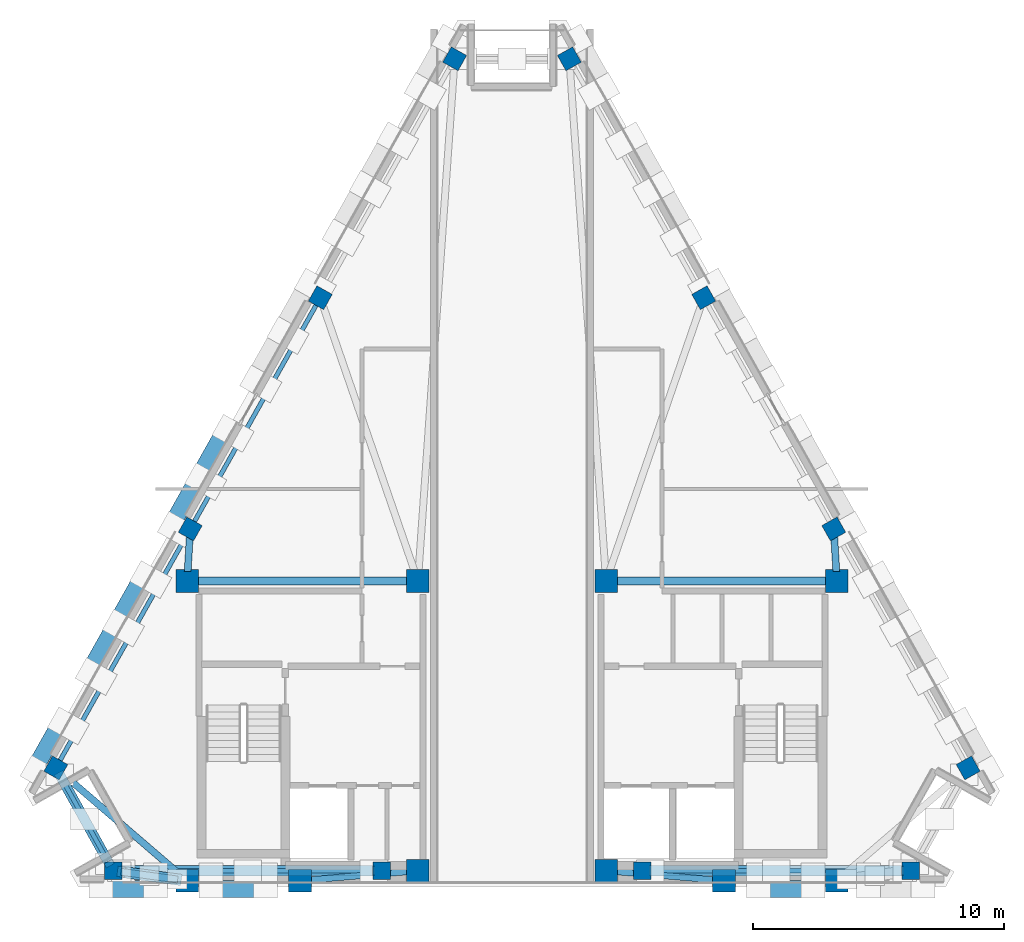
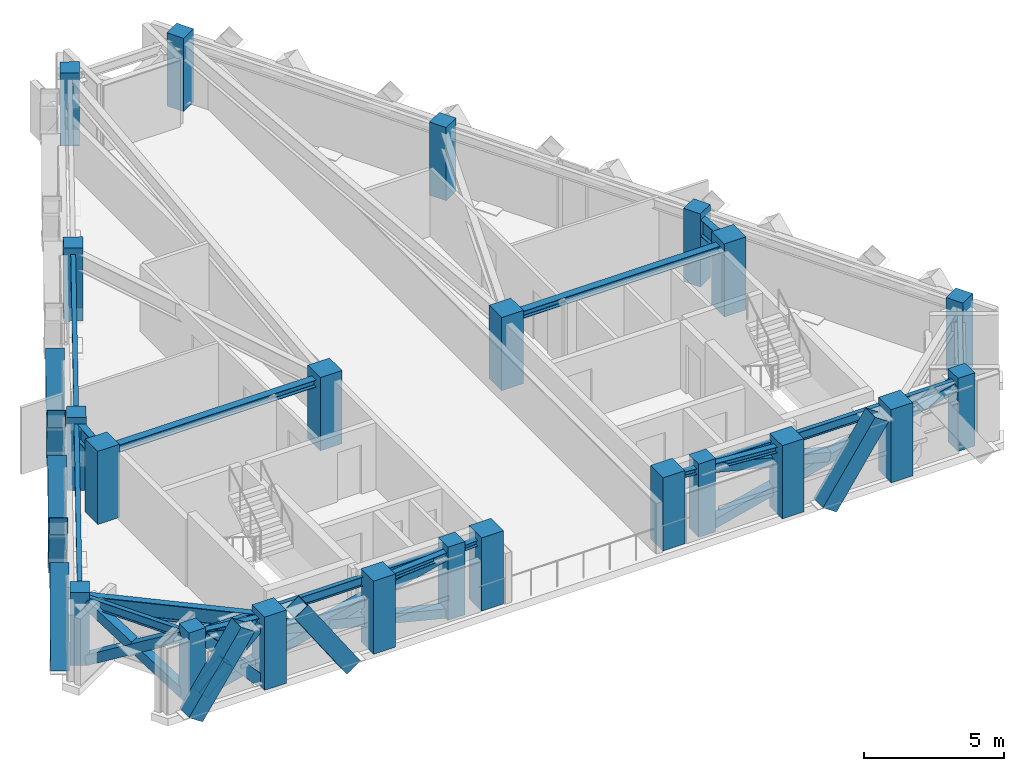
# One storey, part 1 of 7: 22 columns, 19 members, 13 beams.
"""IFC4 building model written with IfcOpenShell, lengths in metres."""

from ifc_helpers import new_model, si_unit, direction, frame, origin, origin_2d, place, context, subcontext, project, spatial, rectangle, hollow_rectangle, i_section, extrude, material, material_profile, profile_set, type_object, element, save


model = new_model("IFC4")

# Units and contexts
model_context = context("Model", 3, precision=1e-05, world=origin(), true_north=direction((0.0, 1.0)))
body_context = subcontext(model_context, "Body", "Model", "MODEL_VIEW")
ifc_project = project(units=[si_unit("LENGTHUNIT", "METRE"), si_unit("AREAUNIT", "SQUARE_METRE"), si_unit("VOLUMEUNIT", "CUBIC_METRE"), si_unit("PLANEANGLEUNIT", "RADIAN"), si_unit("MASSUNIT", "GRAM", prefix="KILO")], contexts=[model_context])

# Site, building, storey
site_placement = place(None, origin())
site = spatial("IfcSite", under=ifc_project, at=site_placement, CompositionType="ELEMENT")
building_placement = place(site_placement, origin())
building = spatial("IfcBuilding", under=site, at=building_placement, Name="Quenlor Broadcast Tower", CompositionType="ELEMENT")
storey_placement = place(building_placement, frame((0.0, 0.0, 270.89990234375)))
storey = spatial("IfcBuildingStorey", under=building, at=storey_placement, Name="L75", CompositionType="ELEMENT", Elevation=270.89990234375)

# Columns
ifc_material_1 = material(Name="Concrete C50/60", Category="concrete")
ifc_material_profile_1 = material_profile(ifc_material_1, rectangle(XDim=0.89990234375, YDim=0.89990234375, at=origin_2d()))
ifc_profile_set_1 = profile_set([ifc_material_profile_1], Name="Concrete C50/60 RC900x900")
column_type_1 = type_object("IfcColumnType", Name="Core Corner Column Upper Concrete C50/60 900", PredefinedType="COLUMN", material=ifc_profile_set_1)
for number, where, z_axis, x_axis, name in (
    (1, (-12.949951171875, -16.75, 0.0), (0.0, 0.0, 1.0), (1.0, 0.0, 0.0), "L75 Core Column CC1"),
    (2, (-8.449951171875, -16.75, 0.0), (0.0, 0.0, 1.0), (1.0, 0.0, 0.0), "L75 Core Column CC2"),
    (3, (-3.75, -16.35009765625, 0.0), (0.0, 0.0, 1.0), (1.0, 0.0, 0.0), "L75 Core Column CC3"),
    (4, (3.75, -16.35009765625, 0.0), (0.0, 0.0, 1.0), (1.0, 0.0, 0.0), "L75 Core Column CC4"),
    (5, (8.449951171875, -16.75, 0.0), (0.0, 0.0, 1.0), (1.0, 0.0, 0.0), "L75 Core Column CC5"),
    (6, (12.949951171875, -16.75, 0.0), (0.0, 0.0, 1.0), (1.0, 0.0, 0.0), "L75 Core Column CC6"),
    (7, (-12.949951171875, -4.800048828125, 0.0), (0.0, 0.0, 1.0), (1.0, 0.0, 0.0), "L75 Core Column CC7"),
    (8, (-3.75, -4.800048828125, 0.0), (0.0, 0.0, 1.0), (1.0, 0.0, 0.0), "L75 Core Column CC8"),
    (9, (3.75, -4.800048828125, 0.0), (0.0, 0.0, 1.0), (1.0, 0.0, 0.0), "L75 Core Column CC9"),
    (10, (12.949951171875, -4.800048828125, 0.0), (0.0, 0.0, 1.0), (1.0, 0.0, 0.0), "L75 Core Column CC10"),
):
    element("IfcColumn", number, at=place(storey_placement, frame(where, z_axis=z_axis, x_axis=x_axis)), inside=storey, type_object=column_type_1, Name=name, PredefinedType="COLUMN", context=body_context, shape_type="SweptSolid", body=[
        extrude(rectangle(XDim=0.89990234375, YDim=0.89990234375, at=origin_2d()), origin(), (0.0, 0.0, 1.0), 3.2001953125),
    ])
ifc_material_2 = material(Name="Concrete C40/50", Category="concrete")
ifc_material_profile_2 = material_profile(ifc_material_2, rectangle(XDim=0.699951171875, YDim=0.699951171875, at=origin_2d()))
ifc_profile_set_2 = profile_set([ifc_material_profile_2], Name="Concrete C40/50 RC700x700")
column_type_2 = type_object("IfcColumnType", Name="Crown Frame Column Concrete C40/50 700", PredefinedType="COLUMN", material=ifc_profile_set_2)
for number, where, z_axis, x_axis, name in (
    (11, (-15.897705078125, -16.35009765625, 0.0), (0.0, 0.0, 1.0), (0.0, 1.0, 0.0), "L75 Perimeter Column S1"),
    (12, (-5.18408203125, -16.35009765625, 0.0), (0.0, 0.0, 1.0), (0.0, 1.0, 0.0), "L75 Perimeter Column S2"),
    (13, (5.18408203125, -16.35009765625, 0.0), (0.0, 0.0, 1.0), (0.0, 1.0, 0.0), "L75 Perimeter Column S3"),
    (14, (15.897705078125, -16.35009765625, 0.0), (0.0, 0.0, 1.0), (0.0, 1.0, 0.0), "L75 Perimeter Column S4"),
    (15, (18.182373046875, -12.25, 0.0), (0.0, 0.0, 1.0), (0.871575139605, 0.490261946333, 0.0), "L75 Perimeter Column NE1"),
    (16, (12.825439453125, -2.726806640625, 0.0), (0.0, 0.0, 1.0), (0.871575139605, 0.490261946333, 0.0), "L75 Perimeter Column NE2"),
    (17, (7.6416015625, 6.4892578125, 0.0), (0.0, 0.0, 1.0), (0.871575139605, 0.490261946333, 0.0), "L75 Perimeter Column NE3"),
    (18, (2.28466796875, 16.012451171875, 0.0), (0.0, 0.0, 1.0), (0.871575139605, 0.490261946333, 0.0), "L75 Perimeter Column NE4"),
    (19, (-2.28466796875, 16.012451171875, 0.0), (0.0, 0.0, 1.0), (-0.871575139605, 0.490261946333, 0.0), "L75 Perimeter Column NW1"),
    (20, (-7.6416015625, 6.4892578125, 0.0), (0.0, 0.0, 1.0), (-0.871575139605, 0.490261946333, 0.0), "L75 Perimeter Column NW2"),
    (21, (-12.825439453125, -2.726806640625, 0.0), (0.0, 0.0, 1.0), (-0.871575139605, 0.490261946333, 0.0), "L75 Perimeter Column NW3"),
    (22, (-18.182373046875, -12.25, 0.0), (0.0, 0.0, 1.0), (-0.871575139605, 0.490261946333, 0.0), "L75 Perimeter Column NW4"),
):
    element("IfcColumn", number, at=place(storey_placement, frame(where, z_axis=z_axis, x_axis=x_axis)), inside=storey, type_object=column_type_2, Name=name, PredefinedType="COLUMN", context=body_context, shape_type="SweptSolid", body=[
        extrude(rectangle(XDim=0.699951171875, YDim=0.699951171875, at=origin_2d()), origin(), (0.0, 0.0, 1.0), 3.2001953125),
    ])

# Members
ifc_material_3 = material(Name="Steel S355", Category="steel")
ifc_material_profile_3 = material_profile(ifc_material_3, hollow_rectangle(XDim=0.39990234375, YDim=0.39990234375, WallThickness=0.02197265625, at=origin_2d()))
ifc_profile_set_3 = profile_set([ifc_material_profile_3], Name="Steel S355 RHS400x400x22")
member_type_1 = type_object("IfcMemberType", Name="Belt Truss Diagonal Chord Steel S355 RHS400x22", PredefinedType="CHORD", material=ifc_profile_set_3)
member_1_placement = place(storey_placement, frame((-15.57763671875, -16.35009765625, 0.2001953125), z_axis=(0.970558919201, 0.0, 0.240863829495), x_axis=(0.0, 1.0, 0.0)))
element("IfcMember", 23, at=member_1_placement, inside=storey, type_object=member_type_1, Name="L75 Belt Truss Continuous Chord 1A", PredefinedType="CHORD", context=body_context, shape_type="SweptSolid", body=[
    extrude(hollow_rectangle(XDim=0.39990234375, YDim=0.39990234375, WallThickness=0.02197265625, at=origin_2d()), origin(), (0.0, 0.0, 1.0), 10.37939453125),
])
for number, where, z_axis, x_axis, name in (
    (24, (-15.57763671875, -16.35009765625, 2.7001953125), (0.970554712279, 0.0, -0.240880780623), (0.0, 1.0, 0.0), "L75 Belt Truss Split Chord 1B1"),
    (25, (-10.3564453125, -16.35009765625, 1.404296875), (0.970566127303, 0.0, -0.240834782645), (0.0, 1.0, 0.0), "L75 Belt Truss Split Chord 1B2"),
):
    element("IfcMember", number, at=place(storey_placement, frame(where, z_axis=z_axis, x_axis=x_axis)), inside=storey, type_object=member_type_1, Name=name, PredefinedType="CHORD", context=body_context, shape_type="SweptSolid", body=[
        extrude(hollow_rectangle(XDim=0.39990234375, YDim=0.39990234375, WallThickness=0.02197265625, at=origin_2d()), origin(), (0.0, 0.0, 1.0), 4.999755859375),
    ])
member_2_placement = place(storey_placement, frame((5.50390625, -16.35009765625, 0.2001953125), z_axis=(0.970558919201, 0.0, 0.240863829495), x_axis=(0.0, 1.0, 0.0)))
element("IfcMember", 26, at=member_2_placement, inside=storey, type_object=member_type_1, Name="L75 Belt Truss Continuous Chord 3A", PredefinedType="CHORD", context=body_context, shape_type="SweptSolid", body=[
    extrude(hollow_rectangle(XDim=0.39990234375, YDim=0.39990234375, WallThickness=0.02197265625, at=origin_2d()), origin(), (0.0, 0.0, 1.0), 10.37939453125),
])
member_3_placement = place(storey_placement, frame((5.50390625, -16.35009765625, 2.7001953125), z_axis=(0.970554712279, 0.0, -0.240880780623), x_axis=(0.0, 1.0, 0.0)))
element("IfcMember", 27, at=member_3_placement, inside=storey, type_object=member_type_1, Name="L75 Belt Truss Split Chord 3B1", PredefinedType="CHORD", context=body_context, shape_type="SweptSolid", body=[
    extrude(hollow_rectangle(XDim=0.39990234375, YDim=0.39990234375, WallThickness=0.02197265625, at=origin_2d()), origin(), (0.0, 0.0, 1.0), 4.999755859375),
])
member_4_placement = place(storey_placement, frame((-18.026611328125, -12.529296875, 0.2001953125), z_axis=(0.414286518812, -0.743532041001, 0.524906452937), x_axis=(0.8735515152, 0.486731702575, 0.0)))
element("IfcMember", 28, at=member_4_placement, inside=storey, type_object=member_type_1, Name="L75 Belt Truss Continuous Chord 12A", PredefinedType="CHORD", context=body_context, shape_type="SweptSolid", body=[
    extrude(hollow_rectangle(XDim=0.39990234375, YDim=0.39990234375, WallThickness=0.02197265625, at=origin_2d()), origin(), (0.0, 0.0, 1.0), 4.7626953125),
])
member_5_placement = place(storey_placement, frame((-18.026611328125, -12.529296875, 2.7001953125), z_axis=(0.414307541351, -0.743503235004, -0.524930662772), x_axis=(0.873532995001, 0.486764939827, 0.0)))
element("IfcMember", 29, at=member_5_placement, inside=storey, type_object=member_type_1, Name="L75 Belt Truss Split Chord 12B1", PredefinedType="CHORD", context=body_context, shape_type="SweptSolid", body=[
    extrude(hollow_rectangle(XDim=0.39990234375, YDim=0.39990234375, WallThickness=0.02197265625, at=origin_2d()), origin(), (0.0, 0.0, 1.0), 2.19140625),
])
member_6_placement = place(storey_placement, frame((-16.961181640625, -14.441162109375, 1.350341796875), z_axis=(0.414239479028, -0.743581033628, -0.52487417582), x_axis=(0.873588646238, 0.486665056445, 0.0)))
element("IfcMember", 30, at=member_6_placement, inside=storey, type_object=member_type_1, Name="L75 Belt Truss Split Chord 12B2", PredefinedType="CHORD", context=body_context, shape_type="SweptSolid", body=[
    extrude(hollow_rectangle(XDim=0.39990234375, YDim=0.39990234375, WallThickness=0.02197265625, at=origin_2d()), origin(), (0.0, 0.0, 1.0), 2.191162109375),
])

# Beams
ifc_material_4 = material(Name="Steel S355", Category="steel")
ifc_material_profile_4 = material_profile(ifc_material_4, i_section(OverallWidth=0.25390625, OverallDepth=0.25390625, WebThickness=0.008544921875, FlangeThickness=0.01416015625, FilletRadius=0.013916015625, at=origin_2d()))
ifc_profile_set_4 = profile_set([ifc_material_profile_4], Name="Steel S355 250UC72.9")
beam_type_1 = type_object("IfcBeamType", Name="Core Opening Lintel Beam Steel S355 250UC72.9", PredefinedType="LINTEL", material=ifc_profile_set_4)
for number, where, z_axis, x_axis, name in (
    (31, (-8.09130859375, -16.719482421875, 2.793212890625), (0.996399763903, 0.084779186679, 0.0), (-0.084779186679, 0.996399763903, 0.0), "L75 Core Opening Lintel Beam 4"),
    (32, (4.108642578125, -16.380615234375, 2.793212890625), (0.996399763903, -0.084779186679, 0.0), (0.084779186679, 0.996399763903, 0.0), "L75 Core Opening Lintel Beam 5"),
):
    element("IfcBeam", number, at=place(storey_placement, frame(where, z_axis=z_axis, x_axis=x_axis)), inside=storey, type_object=beam_type_1, Name=name, PredefinedType="LINTEL", context=body_context, shape_type="SweptSolid", body=[
        extrude(i_section(OverallWidth=0.25390625, OverallDepth=0.25390625, WebThickness=0.008544921875, FlangeThickness=0.01416015625, FilletRadius=0.013916015625, at=origin_2d()), origin(), (0.0, 0.0, 1.0), 3.9970703125),
    ])
ifc_material_5 = material(Name="Steel S355", Category="steel")
ifc_material_profile_5 = material_profile(ifc_material_5, i_section(OverallWidth=0.306884765625, OverallDepth=0.314697265625, WebThickness=0.011962890625, FlangeThickness=0.018798828125, FilletRadius=0.0166015625, at=origin_2d()))
ifc_profile_set_5 = profile_set([ifc_material_profile_5], Name="Steel S355 310UC118")
beam_type_2 = type_object("IfcBeamType", Name="Core Tie Beam Steel S355 310UC118", PredefinedType="BEAM", material=ifc_profile_set_5)
for number, where, z_axis, x_axis, name in (
    (33, (-12.590087890625, -4.800048828125, 2.7626953125), (1.0, 0.0, 0.0), (0.0, 1.0, 0.0), "L75 Core Tie Beam 1"),
    (34, (4.110107421875, -4.800048828125, 2.7626953125), (1.0, 0.0, 0.0), (0.0, 1.0, 0.0), "L75 Core Tie Beam 3"),
):
    element("IfcBeam", number, at=place(storey_placement, frame(where, z_axis=z_axis, x_axis=x_axis)), inside=storey, type_object=beam_type_2, Name=name, PredefinedType="BEAM", context=body_context, shape_type="SweptSolid", body=[
        extrude(i_section(OverallWidth=0.306884765625, OverallDepth=0.314697265625, WebThickness=0.011962890625, FlangeThickness=0.018798828125, FilletRadius=0.0166015625, at=origin_2d()), origin(), (0.0, 0.0, 1.0), 8.47998046875),
    ])
ifc_material_6 = material(Name="Steel S355", Category="steel")
ifc_material_profile_6 = material_profile(ifc_material_6, i_section(OverallWidth=0.27490234375, OverallDepth=0.716064453125, WebThickness=0.013916015625, FlangeThickness=0.02490234375, FilletRadius=0.013916015625, at=origin_2d()))
ifc_profile_set_6 = profile_set([ifc_material_profile_6], Name="Steel S355 700WB173")
beam_type_3 = type_object("IfcBeamType", Name="Crown Plant Ring Girder Steel S355 700WB173", PredefinedType="BEAM", material=ifc_profile_set_6)
beam_1_placement = place(storey_placement, frame((-15.59033203125, -16.3916015625, 2.56201171875), z_axis=(0.990908681621, -0.134536183561, 0.0), x_axis=(0.134536183561, 0.990908681621, 0.0)))
element("IfcBeam", 35, at=beam_1_placement, inside=storey, type_object=beam_type_3, Name="L75 Primary Radial Beam S1", PredefinedType="BEAM", context=body_context, shape_type="SweptSolid", body=[
    extrude(i_section(OverallWidth=0.27490234375, OverallDepth=0.716064453125, WebThickness=0.013916015625, FlangeThickness=0.02490234375, FilletRadius=0.013916015625, at=origin_2d()), origin(), (0.0, 0.0, 1.0), 2.28466796875),
])
for number, where, z_axis, x_axis, name in (
    (36, (12.843994140625, -3.0361328125, 2.56201171875), (0.060022076178, -0.998197049871, 0.0), (0.998197049871, 0.060022076178, 0.0), "L75 Primary Radial Beam NE2"),
    (37, (-12.843994140625, -3.0361328125, 2.56201171875), (-0.060022076178, -0.998197049871, 0.0), (0.998197049871, -0.060022076178, 0.0), "L75 Primary Radial Beam NW3"),
):
    element("IfcBeam", number, at=place(storey_placement, frame(where, z_axis=z_axis, x_axis=x_axis)), inside=storey, type_object=beam_type_3, Name=name, PredefinedType="BEAM", context=body_context, shape_type="SweptSolid", body=[
        extrude(i_section(OverallWidth=0.27490234375, OverallDepth=0.716064453125, WebThickness=0.013916015625, FlangeThickness=0.02490234375, FilletRadius=0.013916015625, at=origin_2d()), origin(), (0.0, 0.0, 1.0), 1.386962890625),
    ])
beam_2_placement = place(storey_placement, frame((-17.947265625, -12.451904296875, 2.56201171875), z_axis=(0.758156826123, -0.652072255968, 0.0), x_axis=(0.652072255968, 0.758156826123, 0.0)))
element("IfcBeam", 38, at=beam_2_placement, inside=storey, type_object=beam_type_3, Name="L75 Primary Radial Beam NW4", PredefinedType="BEAM", context=body_context, shape_type="SweptSolid", body=[
    extrude(i_section(OverallWidth=0.27490234375, OverallDepth=0.716064453125, WebThickness=0.013916015625, FlangeThickness=0.02490234375, FilletRadius=0.013916015625, at=origin_2d()), origin(), (0.0, 0.0, 1.0), 6.21142578125),
])

# Members
ifc_material_7 = material(Name="Steel S355", Category="steel")
ifc_material_profile_7 = material_profile(ifc_material_7, hollow_rectangle(XDim=0.679931640625, YDim=0.679931640625, WallThickness=0.02001953125, at=origin_2d()))
ifc_profile_set_7 = profile_set([ifc_material_profile_7], Name="Steel S355 RHS680x680x20")
member_type_2 = type_object("IfcMemberType", Name="Perimeter Diagonal Lattice Brace Z5-Crown Steel S355 RHS680x20", PredefinedType="BRACE", material=ifc_profile_set_7)
for number, where, z_axis, x_axis, name in (
    (39, (9.841064453125, -17.070068359375, -0.119873046875), (0.559071894658, 0.0, 0.829119181182), (0.0, 1.0, 0.0), "L75 Perimeter Diamond Lattice S-C1B"),
    (40, (-9.841064453125, -17.070068359375, -0.119873046875), (-0.559071894658, 0.0, 0.829119181182), (0.0, -1.0, 0.0), "L75 Perimeter Diamond Lattice S-C5S"),
):
    element("IfcMember", number, at=place(storey_placement, frame(where, z_axis=z_axis, x_axis=x_axis)), inside=storey, type_object=member_type_2, Name=name, PredefinedType="BRACE", context=body_context, shape_type="SweptSolid", body=[
        extrude(hollow_rectangle(XDim=0.679931640625, YDim=0.679931640625, WallThickness=0.02001953125, at=origin_2d()), origin(), (0.0, 0.0, 1.0), 3.859375),
    ])
member_7_placement = place(storey_placement, frame((-16.366943359375, -17.070068359375, -0.119873046875), z_axis=(0.559115378164, 0.0, 0.829089858761), x_axis=(0.0, 1.0, 0.0)))
element("IfcMember", 41, at=member_7_placement, inside=storey, type_object=member_type_2, Name="L75 Perimeter Diamond Lattice S-C5B", PredefinedType="BRACE", context=body_context, shape_type="SweptSolid", body=[
    extrude(hollow_rectangle(XDim=0.679931640625, YDim=0.679931640625, WallThickness=0.02001953125, at=origin_2d()), origin(), (0.0, 0.0, 1.0), 3.859619140625),
])
member_8_placement = place(storey_placement, frame((-19.05322265625, -12.32958984375, -0.119873046875), z_axis=(0.278011753881, 0.494250100424, 0.823666378417), x_axis=(-0.871578496623, 0.490255978266, 0.0)))
element("IfcMember", 42, at=member_8_placement, inside=storey, type_object=member_type_2, Name="L75 Perimeter Diamond Lattice NW-C1S", PredefinedType="BRACE", context=body_context, shape_type="SweptSolid", body=[
    extrude(hollow_rectangle(XDim=0.679931640625, YDim=0.679931640625, WallThickness=0.02001953125, at=origin_2d()), origin(), (0.0, 0.0, 1.0), 3.885009765625),
])
member_9_placement = place(storey_placement, frame((-15.786865234375, -6.522705078125, -0.119873046875), z_axis=(-0.277962400982, -0.494211241538, 0.823706350818), x_axis=(0.871599215793, -0.490219141843, 0.0)))
element("IfcMember", 43, at=member_9_placement, inside=storey, type_object=member_type_2, Name="L75 Perimeter Diamond Lattice NW-C1B", PredefinedType="BRACE", context=body_context, shape_type="SweptSolid", body=[
    extrude(hollow_rectangle(XDim=0.679931640625, YDim=0.679931640625, WallThickness=0.02001953125, at=origin_2d()), origin(), (0.0, 0.0, 1.0), 3.884765625),
])
for number, where, z_axis, x_axis, name in (
    (44, (-15.773681640625, -6.499267578125, -0.119873046875), (0.278011753881, 0.494250100424, 0.823666378417), (-0.871578496623, 0.490255978266, 0.0), "L75 Perimeter Diamond Lattice NW-C2S"),
    (45, (-12.50732421875, -0.6923828125, -0.119873046875), (-0.278011753881, -0.494250100424, 0.823666378417), (0.871578496623, -0.490255978266, 0.0), "L75 Perimeter Diamond Lattice NW-C2B"),
    (46, (-12.494140625, -0.669189453125, -0.119873046875), (0.278011753881, 0.494250100424, 0.823666378417), (-0.871578496623, 0.490255978266, 0.0), "L75 Perimeter Diamond Lattice NW-C3S"),
):
    element("IfcMember", number, at=place(storey_placement, frame(where, z_axis=z_axis, x_axis=x_axis)), inside=storey, type_object=member_type_2, Name=name, PredefinedType="BRACE", context=body_context, shape_type="SweptSolid", body=[
        extrude(hollow_rectangle(XDim=0.679931640625, YDim=0.679931640625, WallThickness=0.02001953125, at=origin_2d()), origin(), (0.0, 0.0, 1.0), 3.885009765625),
    ])

# Beams
ifc_material_8 = material(Name="Steel S355", Category="steel")
ifc_material_profile_8 = material_profile(ifc_material_8, i_section(OverallWidth=0.177978515625, OverallDepth=0.406494140625, WebThickness=0.0078125, FlangeThickness=0.0126953125, FilletRadius=0.011474609375, at=origin_2d()))
ifc_profile_set_8 = profile_set([ifc_material_profile_8], Name="Steel S355 410UB59.7")
beam_type_4 = type_object("IfcBeamType", Name="Perimeter Spandrel Beam Z5 Steel S355 410UB59.7", PredefinedType="SPANDREL", material=ifc_profile_set_8)
for number, where, z_axis, x_axis, name in (
    (47, (-15.587646484375, -16.35009765625, 2.716796875), (1.0, 0.0, 0.0), (0.0, 1.0, 0.0), "L75 Spandrel Beam S1-S2"),
    (48, (5.493896484375, -16.35009765625, 2.716796875), (1.0, 0.0, 0.0), (0.0, 1.0, 0.0), "L75 Spandrel Beam S3-S4"),
):
    element("IfcBeam", number, at=place(storey_placement, frame(where, z_axis=z_axis, x_axis=x_axis)), inside=storey, type_object=beam_type_4, Name=name, PredefinedType="SPANDREL", context=body_context, shape_type="SweptSolid", body=[
        extrude(i_section(OverallWidth=0.177978515625, OverallDepth=0.406494140625, WebThickness=0.0078125, FlangeThickness=0.0126953125, FilletRadius=0.011474609375, at=origin_2d()), origin(), (0.0, 0.0, 1.0), 10.09375),
    ])
beam_3_placement = place(storey_placement, frame((-7.79345703125, 6.218994140625, 2.716796875), z_axis=(-0.490271720009, -0.87156964183, 0.0), x_axis=(0.87156964183, -0.490271720009, 0.0)))
element("IfcBeam", 49, at=beam_3_placement, inside=storey, type_object=beam_type_4, Name="L75 Spandrel Beam NW2-NW3", PredefinedType="SPANDREL", context=body_context, shape_type="SweptSolid", body=[
    extrude(i_section(OverallWidth=0.177978515625, OverallDepth=0.406494140625, WebThickness=0.0078125, FlangeThickness=0.0126953125, FilletRadius=0.011474609375, at=origin_2d()), origin(), (0.0, 0.0, 1.0), 9.953857421875),
])
beam_4_placement = place(storey_placement, frame((-12.9775390625, -2.996826171875, 2.716796875), z_axis=(-0.490249992991, -0.871581863265, 0.0), x_axis=(0.871581863265, -0.490249992991, 0.0)))
element("IfcBeam", 50, at=beam_4_placement, inside=storey, type_object=beam_type_4, Name="L75 Spandrel Beam NW3-NW4", PredefinedType="SPANDREL", context=body_context, shape_type="SweptSolid", body=[
    extrude(i_section(OverallWidth=0.177978515625, OverallDepth=0.406494140625, WebThickness=0.0078125, FlangeThickness=0.0126953125, FilletRadius=0.011474609375, at=origin_2d()), origin(), (0.0, 0.0, 1.0), 10.306396484375),
])
beam_5_placement = place(storey_placement, frame((-18.031494140625, -12.520751953125, 2.716796875), z_axis=(0.486777294572, -0.873526110365, 0.0), x_axis=(0.873526110365, 0.486777294572, 0.0)))
element("IfcBeam", 51, at=beam_5_placement, inside=storey, type_object=beam_type_4, Name="L75 Spandrel Beam NW4-S1", PredefinedType="SPANDREL", context=body_context, shape_type="SweptSolid", body=[
    extrude(i_section(OverallWidth=0.177978515625, OverallDepth=0.406494140625, WebThickness=0.0078125, FlangeThickness=0.0126953125, FilletRadius=0.011474609375, at=origin_2d()), origin(), (0.0, 0.0, 1.0), 4.073486328125),
])

# Members
ifc_material_9 = material(Name="Steel S355", Category="steel")
ifc_material_profile_9 = material_profile(ifc_material_9, hollow_rectangle(XDim=0.449951171875, YDim=0.449951171875, WallThickness=0.02490234375, at=origin_2d()))
ifc_profile_set_9 = profile_set([ifc_material_profile_9], Name="Steel S355 RHS450x450x25")
member_type_3 = type_object("IfcMemberType", Name="Wind Portal Ring Strut Steel S355 RHS450x25", PredefinedType="STRUT", material=ifc_profile_set_9)
member_10_placement = place(storey_placement, frame((-13.346435546875, -16.6962890625, 0.2001953125), z_axis=(-0.663637178924, 0.090070743768, 0.742612251358), x_axis=(-0.134489826066, -0.990914974498, 0.0)))
element("IfcMember", 52, at=member_10_placement, inside=storey, type_object=member_type_3, Name="L75 Outrigger Continuous Strut 1A", PredefinedType="STRUT", context=body_context, shape_type="SweptSolid", body=[
    extrude(hollow_rectangle(XDim=0.449951171875, YDim=0.449951171875, WallThickness=0.02490234375, at=origin_2d()), origin(), (0.0, 0.0, 1.0), 3.366455078125),
])
member_11_placement = place(storey_placement, frame((-13.346435546875, -16.6962890625, 2.7001953125), z_axis=(-0.663600955538, 0.09013705863, -0.742636574962), x_axis=(-0.134594265169, -0.990900794118, 0.0)))
element("IfcMember", 53, at=member_11_placement, inside=storey, type_object=member_type_3, Name="L75 Outrigger Split Strut 1B1", PredefinedType="STRUT", context=body_context, shape_type="SweptSolid", body=[
    extrude(hollow_rectangle(XDim=0.449951171875, YDim=0.449951171875, WallThickness=0.02490234375, at=origin_2d()), origin(), (0.0, 0.0, 1.0), 1.473388671875),
])
member_12_placement = place(storey_placement, frame((-14.602783203125, -16.525634765625, 1.294189453125), z_axis=(-0.663692523156, 0.089983780293, -0.7425733324), x_axis=(-0.134351319204, -0.990933763189, 0.0)))
element("IfcMember", 54, at=member_12_placement, inside=storey, type_object=member_type_3, Name="L75 Outrigger Split Strut 1B2", PredefinedType="STRUT", context=body_context, shape_type="SweptSolid", body=[
    extrude(hollow_rectangle(XDim=0.449951171875, YDim=0.449951171875, WallThickness=0.02490234375, at=origin_2d()), origin(), (0.0, 0.0, 1.0), 1.47314453125),
])

save(model, "model.ifc")
